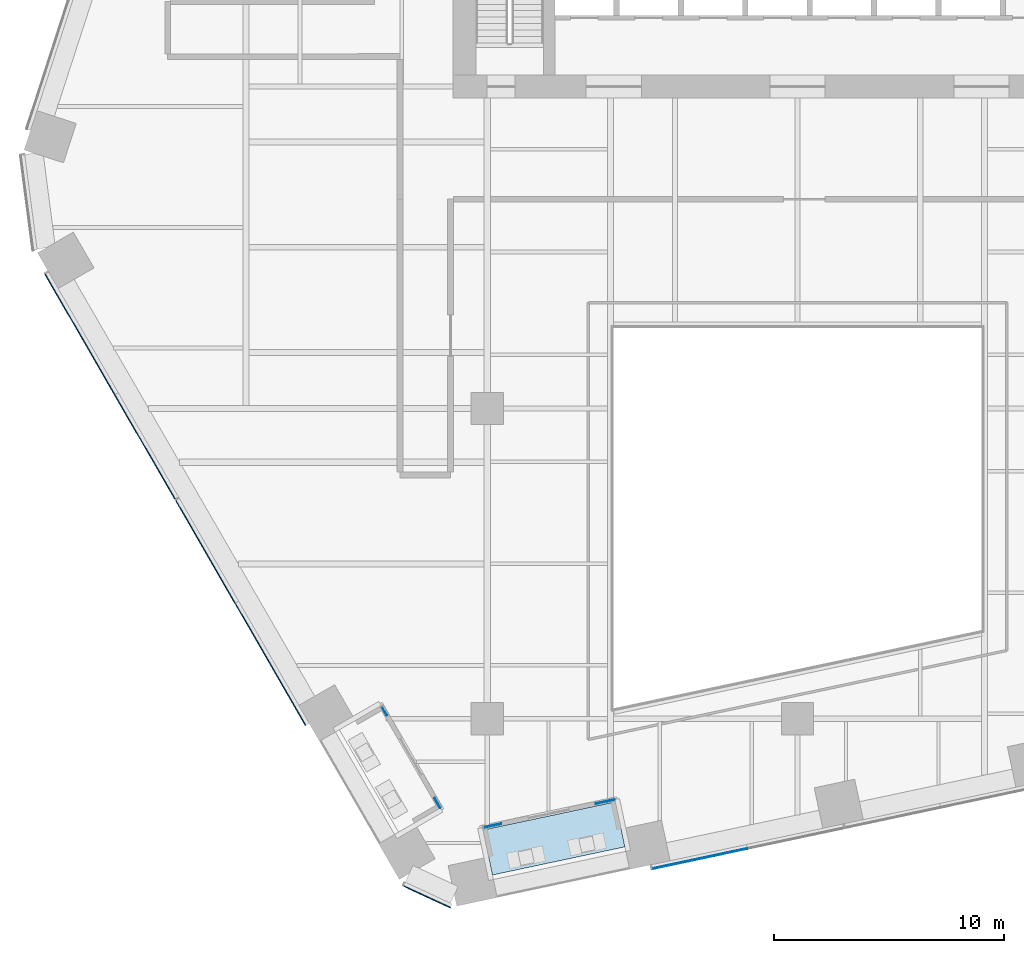
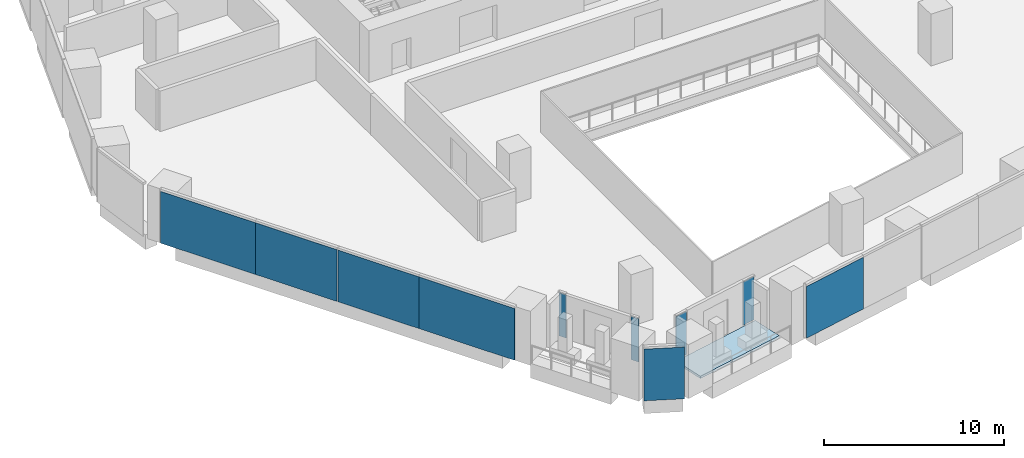
# One storey, part 15 of 28: 10 plates, 1 slab, 5 elements without a shape of their own.
"""IFC4 building model written with IfcOpenShell, lengths in metres."""

from ifc_helpers import new_model, si_unit, direction, frame, origin, origin_2d, place, context, subcontext, project, spatial, polyline, rectangle, outline, extrude, material, layer, layer_set, type_object, element, aggregate, save


model = new_model("IFC4")

# Units and contexts
model_context = context("Model", 3, precision=1e-05, world=origin(), true_north=direction((0.0, 1.0)))
body_context = subcontext(model_context, "Body", "Model", "MODEL_VIEW")
ifc_project = project(units=[si_unit("LENGTHUNIT", "METRE"), si_unit("AREAUNIT", "SQUARE_METRE"), si_unit("VOLUMEUNIT", "CUBIC_METRE"), si_unit("PLANEANGLEUNIT", "RADIAN"), si_unit("MASSUNIT", "GRAM", prefix="KILO")], contexts=[model_context])

# Site, building, storey
site_placement = place(None, origin())
site = spatial("IfcSite", under=ifc_project, at=site_placement, CompositionType="ELEMENT")
building_placement = place(site_placement, origin())
building = spatial("IfcBuilding", under=site, at=building_placement, Name="Isthmus Gate Tower", CompositionType="ELEMENT")
storey_placement = place(building_placement, frame((0.0, 0.0, 68.85009765625)))
storey = spatial("IfcBuildingStorey", under=building, at=storey_placement, Name="L15", CompositionType="ELEMENT", Elevation=68.85009765625)

# Curtain wall, plates
ifc_material_1 = material(Name="Aluminium, pale champagne anodised", Category="aluminium")
ifc_layer_1 = layer(ifc_material_1, 0.199951171875)
ifc_layer_set_1 = layer_set([ifc_layer_1], Name="CW-1 UNITISED CURTAIN WALL 200 DEEP")
curtain_wall_type_1 = type_object("IfcCurtainWallType", Name="CW-1 UNITISED CURTAIN WALL 200 DEEP", PredefinedType="NOTDEFINED", material=ifc_layer_set_1)
curtain_wall_1_placement = place(storey_placement, origin())
curtain_wall_1 = element("IfcCurtainWall", 1, at=curtain_wall_1_placement, inside=storey, type_object=curtain_wall_type_1, Name="CW-1 SW L15", PredefinedType="NOTDEFINED")
ifc_material_2 = material(Name="Laminated low-iron glass, pale blue tint", Category="glass")
ifc_layer_2 = layer(ifc_material_2, 0.0400390625)
ifc_layer_set_2 = layer_set([ifc_layer_2], Name="CW-1 CLEAR GLASS LITE 40")
plate_type_1 = type_object("IfcPlateType", Name="CW-1 CLEAR GLASS LITE 40", PredefinedType="CURTAIN_PANEL", material=ifc_layer_set_2)
plate_1_placement = place(storey_placement, frame((-31.22119140625, -10.283203125, 0.0), z_axis=(0.0, 0.0, 1.0), x_axis=(0.5, -0.866025403784, 0.0)))
plate_1 = element("IfcPlate", 2, at=plate_1_placement, type_object=plate_type_1, Name="CW-1 glass lite", PredefinedType="CURTAIN_PANEL", context=body_context, shape_type="SweptSolid", body=[
    extrude(rectangle(XDim=6.07373046875, YDim=0.0400390625, at=origin_2d()), origin(), (0.0, 0.0, 1.0), 3.5),
])
plate_2_placement = place(storey_placement, frame((-28.394287109375, -15.179443359375, 0.0), z_axis=(0.0, 0.0, 1.0), x_axis=(0.5, -0.866025403784, 0.0)))
plate_2 = element("IfcPlate", 3, at=plate_2_placement, type_object=plate_type_1, Name="CW-1 glass lite", PredefinedType="CURTAIN_PANEL", context=body_context, shape_type="SweptSolid", body=[
    extrude(rectangle(XDim=5.233642578125, YDim=0.0400390625, at=origin_2d()), origin(), (0.0, 0.0, 1.0), 3.5),
])
plate_3_placement = place(storey_placement, frame((-25.7626953125, -19.73779296875, 0.0), z_axis=(0.0, 0.0, 1.0), x_axis=(0.5, -0.866025403784, 0.0)))
plate_3 = element("IfcPlate", 4, at=plate_3_placement, type_object=plate_type_1, Name="CW-1 glass lite", PredefinedType="CURTAIN_PANEL", context=body_context, shape_type="SweptSolid", body=[
    extrude(rectangle(XDim=5.173583984375, YDim=0.0400390625, at=origin_2d()), origin(), (0.0, 0.0, 1.0), 3.5),
])
plate_4_placement = place(storey_placement, frame((-22.935791015625, -24.634033203125, 0.0), z_axis=(0.0, 0.0, 1.0), x_axis=(0.5, -0.866025403784, 0.0)))
plate_4 = element("IfcPlate", 5, at=plate_4_placement, type_object=plate_type_1, Name="CW-1 glass lite", PredefinedType="CURTAIN_PANEL", context=body_context, shape_type="SweptSolid", body=[
    extrude(rectangle(XDim=6.133544921875, YDim=0.0400390625, at=origin_2d()), origin(), (0.0, 0.0, 1.0), 3.5),
])
aggregate(curtain_wall_1, [plate_1, plate_2, plate_3, plate_4])

# Curtain wall, plate
curtain_wall_2_placement = place(storey_placement, origin())
curtain_wall_2 = element("IfcCurtainWall", 6, at=curtain_wall_2_placement, inside=storey, type_object=curtain_wall_type_1, Name="CW-1 SW-S L15", PredefinedType="NOTDEFINED")
plate_5_placement = place(storey_placement, frame((-16.1298828125, -34.7451171875, 0.0), z_axis=(0.0, 0.0, 1.0), x_axis=(0.907256261367, -0.420578264073, 0.0)))
plate_5 = element("IfcPlate", 7, at=plate_5_placement, type_object=plate_type_1, Name="CW-1 glass lite", PredefinedType="CURTAIN_PANEL", context=body_context, shape_type="SweptSolid", body=[
    extrude(rectangle(XDim=2.258544921875, YDim=0.0400390625, at=origin_2d()), origin(), (0.0, 0.0, 1.0), 3.5),
])
aggregate(curtain_wall_2, [plate_5])

curtain_wall_3_placement = place(storey_placement, origin())
curtain_wall_3 = element("IfcCurtainWall", 8, at=curtain_wall_3_placement, inside=storey, type_object=curtain_wall_type_1, Name="CW-1 S L15", PredefinedType="NOTDEFINED")
plate_6_placement = place(storey_placement, frame((-4.2568359375, -33.0888671875, 0.0), z_axis=(0.0, 0.0, 1.0), x_axis=(0.978147600734, 0.207911690818, 0.0)))
plate_6 = element("IfcPlate", 9, at=plate_6_placement, type_object=plate_type_1, Name="CW-1 glass lite", PredefinedType="CURTAIN_PANEL", context=body_context, shape_type="SweptSolid", body=[
    extrude(rectangle(XDim=4.234619140625, YDim=0.0400390625, at=origin_2d()), origin(), (0.0, 0.0, 1.0), 3.5),
])
aggregate(curtain_wall_3, [plate_6])

# Curtain wall, plates
ifc_material_3 = material(Name="Aluminium, pale champagne anodised", Category="aluminium")
ifc_layer_3 = layer(ifc_material_3, 0.14990234375)
ifc_layer_set_3 = layer_set([ifc_layer_3], Name="CW-6 LOGGIA BACK WALL GLAZING 150 DEEP")
curtain_wall_type_2 = type_object("IfcCurtainWallType", Name="CW-6 LOGGIA BACK WALL GLAZING 150 DEEP", PredefinedType="NOTDEFINED", material=ifc_layer_set_3)
curtain_wall_4_placement = place(storey_placement, origin())
curtain_wall_4 = element("IfcCurtainWall", 10, at=curtain_wall_4_placement, inside=storey, type_object=curtain_wall_type_2, Name="CW-6 SW L15", PredefinedType="NOTDEFINED")
ifc_material_4 = material(Name="Laminated low-iron glass, clear", Category="glass")
ifc_layer_4 = layer(ifc_material_4, 0.031982421875)
ifc_layer_set_4 = layer_set([ifc_layer_4], Name="CW-6 CLEAR GLASS LITE 32")
plate_type_2 = type_object("IfcPlateType", Name="CW-6 CLEAR GLASS LITE 32", PredefinedType="CURTAIN_PANEL", material=ifc_layer_set_4)
plate_7_placement = place(storey_placement, frame((-17.971923828125, -26.671875, 0.0), z_axis=(0.0, 0.0, 1.0), x_axis=(0.5, -0.866025403784, 0.0)))
plate_7 = element("IfcPlate", 11, at=plate_7_placement, type_object=plate_type_2, Name="CW-6 glass lite", PredefinedType="CURTAIN_PANEL", context=body_context, shape_type="SweptSolid", body=[
    extrude(rectangle(XDim=0.43994140625, YDim=0.031982421875, at=origin_2d()), origin(), (0.0, 0.0, 1.0), 2.929931640625),
])
plate_8_placement = place(storey_placement, frame((-15.6650390625, -30.66748046875, 0.0), z_axis=(0.0, 0.0, 1.0), x_axis=(0.5, -0.866025403784, 0.0)))
plate_8 = element("IfcPlate", 12, at=plate_8_placement, type_object=plate_type_2, Name="CW-6 glass lite", PredefinedType="CURTAIN_PANEL", context=body_context, shape_type="SweptSolid", body=[
    extrude(rectangle(XDim=0.5, YDim=0.031982421875, at=origin_2d()), origin(), (0.0, 0.0, 1.0), 2.929931640625),
])
aggregate(curtain_wall_4, [plate_7, plate_8])

curtain_wall_5_placement = place(storey_placement, origin())
curtain_wall_5 = element("IfcCurtainWall", 13, at=curtain_wall_5_placement, inside=storey, type_object=curtain_wall_type_2, Name="CW-6 S L15", PredefinedType="NOTDEFINED")
plate_9_placement = place(storey_placement, frame((-13.26708984375, -31.650634765625, 0.0), z_axis=(0.0, 0.0, 1.0), x_axis=(0.978147600734, 0.207911690818, 0.0)))
plate_9 = element("IfcPlate", 14, at=plate_9_placement, type_object=plate_type_2, Name="CW-6 glass lite", PredefinedType="CURTAIN_PANEL", context=body_context, shape_type="SweptSolid", body=[
    extrude(rectangle(XDim=0.78466796875, YDim=0.031982421875, at=origin_2d()), origin(), (0.0, 0.0, 1.0), 2.929931640625),
])
plate_10_placement = place(storey_placement, frame((-8.36181640625, -30.608154296875, 0.0), z_axis=(0.0, 0.0, 1.0), x_axis=(0.978147600734, 0.207911690818, 0.0)))
plate_10 = element("IfcPlate", 15, at=plate_10_placement, type_object=plate_type_2, Name="CW-6 glass lite", PredefinedType="CURTAIN_PANEL", context=body_context, shape_type="SweptSolid", body=[
    extrude(rectangle(XDim=0.8447265625, YDim=0.031982421875, at=origin_2d()), origin(), (0.0, 0.0, 1.0), 2.929931640625),
])
aggregate(curtain_wall_5, [plate_9, plate_10])

# Slab
ifc_material_5 = material(Name="Concrete f'c 50 MPa", Category="concrete")
ifc_layer_5 = layer(ifc_material_5, 0.14990234375)
ifc_layer_set_5 = layer_set([ifc_layer_5], Name="LOGGIA FLOOR SLAB 150")
slab_type = type_object("IfcSlabType", Name="LOGGIA FLOOR SLAB 150", PredefinedType="FLOOR", material=ifc_layer_set_5)
slab_placement = place(storey_placement, frame((0.0, 0.0, -0.150146484375)))
element("IfcSlab", 16, at=slab_placement, inside=storey, type_object=slab_type, Name="LOGGIA FLOOR", PredefinedType="FLOOR", context=body_context, shape_type="SweptSolid", body=[
    extrude(outline(polyline([(-13.272705078125, -33.798828125), (-7.51220703125, -32.574462890625), (-7.927978515625, -30.6181640625), (-13.688720703125, -31.842529296875), (-13.272705078125, -33.798828125)])), origin(), (0.0, 0.0, 1.0), 0.150146484375),
])

save(model, "model.ifc")
